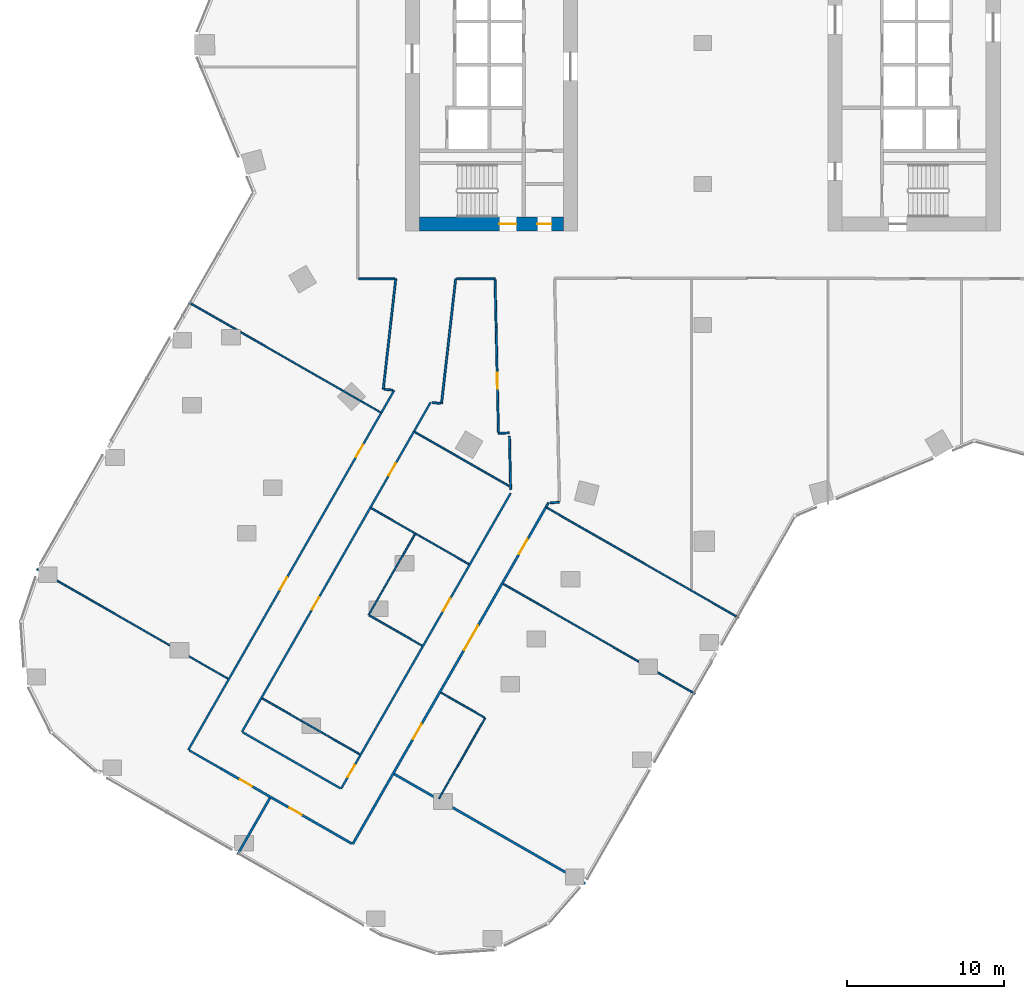
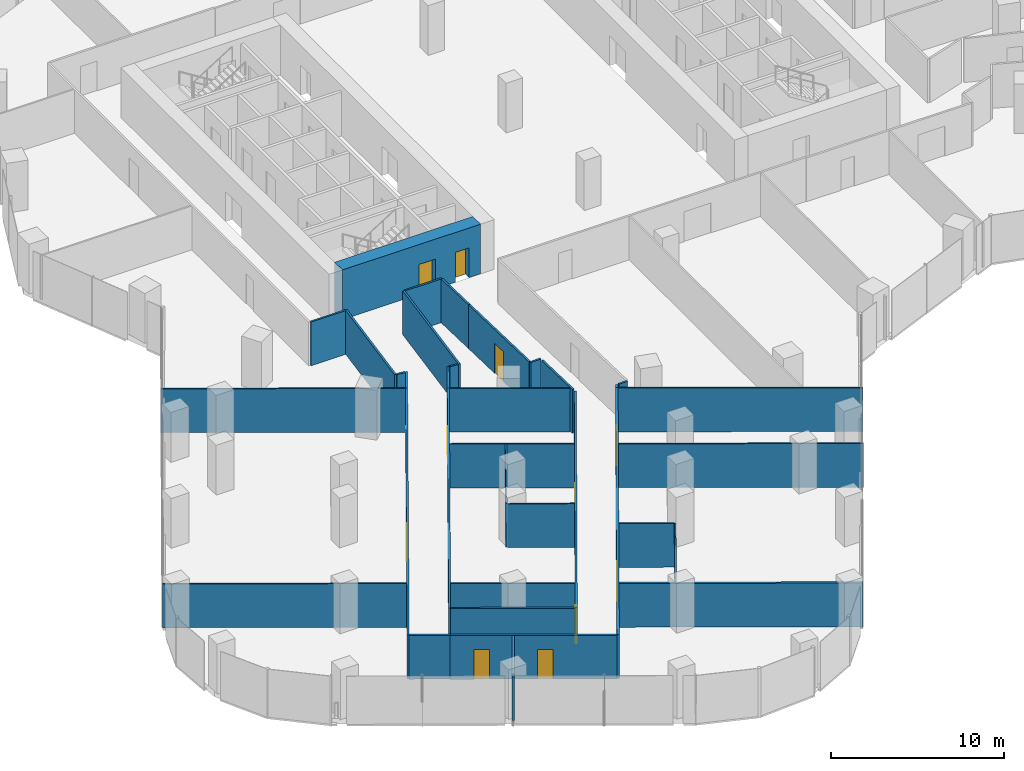
# One storey, part 26 of 34: 35 walls, 14 doors, 14 openings.
"""IFC4 building model written with IfcOpenShell, lengths in metres."""

from ifc_helpers import new_model, si_unit, direction, frame, frame_2d, origin, place, context, subcontext, project, spatial, rectangle, extrude, material, layer, layer_set, type_object, element, fill, save


model = new_model("IFC4")

# Units and contexts
model_context = context("Model", 3, precision=1e-05, world=origin(), true_north=direction((0.0, 1.0)))
body_context = subcontext(model_context, "Body", "Model", "MODEL_VIEW")
ifc_project = project(units=[si_unit("LENGTHUNIT", "METRE"), si_unit("AREAUNIT", "SQUARE_METRE"), si_unit("VOLUMEUNIT", "CUBIC_METRE"), si_unit("PLANEANGLEUNIT", "RADIAN"), si_unit("MASSUNIT", "GRAM", prefix="KILO")], contexts=[model_context])

# Site, building, storey
site_placement = place(None, origin())
site = spatial("IfcSite", under=ifc_project, at=site_placement, CompositionType="ELEMENT")
building_placement = place(site_placement, origin())
building = spatial("IfcBuilding", under=site, at=building_placement, Name="Orlundy Tower", CompositionType="ELEMENT")
storey_placement = place(building_placement, frame((0.0, 0.0, 109.199951171875)))
storey = spatial("IfcBuildingStorey", under=building, at=storey_placement, Name="L27", CompositionType="ELEMENT", Elevation=109.199951171875)

# Wall, openings, doors
ifc_material_1 = material(Name="Concrete C80/95", Category="concrete")
ifc_layer_1 = layer(ifc_material_1, 0.89990234375)
ifc_layer_set_1 = layer_set([ifc_layer_1], Name="CORE WALL 900 C80/95")
wall_type_1 = type_object("IfcWallType", Name="CORE WALL 900 C80/95", PredefinedType="SHEAR", material=ifc_layer_set_1)
wall_1_placement = place(storey_placement, frame((-18.10009765625, -11.550048828125, 0.0), z_axis=(0.0, 0.0, 1.0), x_axis=(1.0, 0.0, 0.0)))
wall_1 = element("IfcWall", 1, at=wall_1_placement, inside=storey, type_object=wall_type_1, Name="Core wall W-S L27", PredefinedType="SHEAR", context=body_context, shape_type="SweptSolid", body=[
    extrude(rectangle(XDim=9.2001953125, YDim=0.89990234375, at=frame_2d((4.60009765625, 0.0))), origin(), (0.0, 0.0, 1.0), 3.5),
])
opening_1_placement = place(wall_1_placement, frame((5.10009765625, 0.0, 0.0)))
opening_1 = element("IfcOpeningElement", 2, at=opening_1_placement, cuts=wall_1, Name="Opening 21013", PredefinedType="OPENING", context=body_context, shape_type="SweptSolid", body=[
    extrude(rectangle(XDim=1.10009765625, YDim=2.10009765625, at=frame_2d((0.550048828125, 1.050048828125))), frame((0.0, 0.4599609375, 0.0), z_axis=(0.0, -1.0, 0.0), x_axis=(1.0, 0.0, 0.0)), (0.0, 0.0, 1.0), 0.919921875),
])
opening_2_placement = place(wall_1_placement, frame((7.530029296875, 0.0, 0.0)))
opening_2 = element("IfcOpeningElement", 3, at=opening_2_placement, cuts=wall_1, Name="Opening 21015", PredefinedType="OPENING", context=body_context, shape_type="SweptSolid", body=[
    extrude(rectangle(XDim=0.89990234375, YDim=2.10009765625, at=frame_2d((0.449951171875, 1.050048828125))), frame((0.0, 0.4599609375, 0.0), z_axis=(0.0, -1.0, 0.0), x_axis=(1.0, 0.0, 0.0)), (0.0, 0.0, 1.0), 0.919921875),
])
ifc_material_2 = material(Name="Timber door set", Category="wood")
door_type_1 = type_object("IfcDoorType", Name="Room Door 900x2100", OperationType="SINGLE_SWING_LEFT", PredefinedType="DOOR", material=ifc_material_2)
door_1_placement = place(opening_2_placement, origin())
door_1 = element("IfcDoor", 4, at=door_1_placement, inside=storey, type_object=door_type_1, Name="Store door 21015", OperationType="SINGLE_SWING_RIGHT", OverallHeight=2.10009765625, OverallWidth=0.89990234375, PredefinedType="DOOR", context=body_context, shape_type="SweptSolid", body=[
    extrude(rectangle(XDim=0.89990234375, YDim=2.10009765625, at=frame_2d((0.449951171875, 1.050048828125))), frame((0.0, 0.02490234375, 0.0), z_axis=(0.0, -1.0, 0.0), x_axis=(1.0, 0.0, 0.0)), (0.0, 0.0, 1.0), 0.050048828125),
])
fill(opening_2, door_1)
ifc_material_3 = material(Name="Steel door set", Category="steel")
door_type_2 = type_object("IfcDoorType", Name="Stair Door 1100x2100", OperationType="SINGLE_SWING_LEFT", PredefinedType="DOOR", material=ifc_material_3)
door_2_placement = place(opening_1_placement, origin())
door_2 = element("IfcDoor", 5, at=door_2_placement, inside=storey, type_object=door_type_2, Name="Stair door 21013", OperationType="SINGLE_SWING_RIGHT", OverallHeight=2.10009765625, OverallWidth=1.10009765625, PredefinedType="DOOR", context=body_context, shape_type="SweptSolid", body=[
    extrude(rectangle(XDim=1.10009765625, YDim=2.10009765625, at=frame_2d((0.550048828125, 1.050048828125))), frame((0.0, 0.02490234375, 0.0), z_axis=(0.0, -1.0, 0.0), x_axis=(1.0, 0.0, 0.0)), (0.0, 0.0, 1.0), 0.050048828125),
])
fill(opening_1, door_2)

# Walls
ifc_material_4 = material(Name="Gypsum board partition")
ifc_layer_2 = layer(ifc_material_4, 0.10009765625)
ifc_layer_set_2 = layer_set([ifc_layer_2], Name="Floor partition 100")
wall_type_2 = type_object("IfcWallType", Name="Floor partition 100", PredefinedType="PARTITIONING", material=ifc_layer_set_2)
wall_2_placement = place(storey_placement, frame((-42.5419921875, -33.5869140625, 0.0), z_axis=(0.0, 0.0, 1.0), x_axis=(0.867466270896, -0.497495998835, 0.0)))
element("IfcWall", 6, at=wall_2_placement, inside=storey, type_object=wall_type_2, Name="wall-int-L27-009", PredefinedType="PARTITIONING", context=body_context, shape_type="SweptSolid", body=[
    extrude(rectangle(XDim=14.078857421875, YDim=0.10009765625, at=frame_2d((7.03955078125, 0.0))), origin(), (0.0, 0.0, 1.0), 3.080078125),
])
wall_3_placement = place(storey_placement, frame((-28.137939453125, -41.847900390625, 0.0), z_axis=(0.0, 0.0, 1.0), x_axis=(0.867478179125, -0.4974752343, 0.0)))
element("IfcWall", 7, at=wall_3_placement, inside=storey, type_object=wall_type_2, Name="wall-int-L27-010", PredefinedType="PARTITIONING", context=body_context, shape_type="SweptSolid", body=[
    extrude(rectangle(XDim=7.17822265625, YDim=0.10009765625, at=frame_2d((3.589111328125, 0.0))), origin(), (0.0, 0.0, 1.0), 3.080078125),
])
wall_4_placement = place(storey_placement, frame((-16.72412109375, -41.47607421875, 0.0), z_axis=(0.0, 0.0, 1.0), x_axis=(0.867553640943, -0.497343623752, 0.0)))
element("IfcWall", 8, at=wall_4_placement, inside=storey, type_object=wall_type_2, Name="wall-int-L27-012", PredefinedType="PARTITIONING", context=body_context, shape_type="SweptSolid", body=[
    extrude(rectangle(XDim=3.20703125, YDim=0.10009765625, at=frame_2d((1.603515625, 0.0))), origin(), (0.0, 0.0, 1.0), 3.080078125),
])
wall_5_placement = place(storey_placement, frame((-21.302001953125, -36.5458984375, 0.0), z_axis=(0.0, 0.0, 1.0), x_axis=(0.867492112241, -0.49745093748, 0.0)))
element("IfcWall", 9, at=wall_5_placement, inside=storey, type_object=wall_type_2, Name="wall-int-L27-013", PredefinedType="PARTITIONING", context=body_context, shape_type="SweptSolid", body=[
    extrude(rectangle(XDim=3.885986328125, YDim=0.10009765625, at=frame_2d((1.94287109375, 0.0))), origin(), (0.0, 0.0, 1.0), 3.080078125),
])
wall_6_placement = place(storey_placement, frame((-21.180908203125, -29.698974609375, 0.0), z_axis=(0.0, 0.0, 1.0), x_axis=(0.867554846835, -0.497341520219, 0.0)))
element("IfcWall", 10, at=wall_6_placement, inside=storey, type_object=wall_type_2, Name="wall-int-L27-014", PredefinedType="PARTITIONING", context=body_context, shape_type="SweptSolid", body=[
    extrude(rectangle(XDim=7.190185546875, YDim=0.10009765625, at=frame_2d((3.59521484375, 0.0))), origin(), (0.0, 0.0, 1.0), 3.080078125),
])
wall_7_placement = place(storey_placement, frame((-12.7451171875, -34.535888671875, 0.0), z_axis=(0.0, 0.0, 1.0), x_axis=(0.867470957273, -0.497487827277, 0.0)))
element("IfcWall", 11, at=wall_7_placement, inside=storey, type_object=wall_type_2, Name="wall-int-L27-015", PredefinedType="PARTITIONING", context=body_context, shape_type="SweptSolid", body=[
    extrude(rectangle(XDim=14.125244140625, YDim=0.10009765625, at=frame_2d((7.0625, 0.0))), origin(), (0.0, 0.0, 1.0), 3.080078125),
])
wall_8_placement = place(storey_placement, frame((-32.8359375, -16.552001953125, 0.0), z_axis=(0.0, 0.0, 1.0), x_axis=(0.867495211783, -0.497445532229, 0.0)))
element("IfcWall", 12, at=wall_8_placement, inside=storey, type_object=wall_type_2, Name="wall-int-L27-016", PredefinedType="PARTITIONING", context=body_context, shape_type="SweptSolid", body=[
    extrude(rectangle(XDim=14.119873046875, YDim=0.10009765625, at=frame_2d((7.06005859375, 0.0))), origin(), (0.0, 0.0, 1.0), 3.080078125),
])
wall_9_placement = place(storey_placement, frame((-18.39501953125, -24.8330078125, 0.0), z_axis=(0.0, 0.0, 1.0), x_axis=(0.86747241126, -0.497485291946, 0.0)))
element("IfcWall", 13, at=wall_9_placement, inside=storey, type_object=wall_type_2, Name="wall-int-L27-017", PredefinedType="PARTITIONING", context=body_context, shape_type="SweptSolid", body=[
    extrude(rectangle(XDim=6.948974609375, YDim=0.10009765625, at=frame_2d((3.474609375, 0.0))), origin(), (0.0, 0.0, 1.0), 3.080078125),
])
wall_10_placement = place(storey_placement, frame((-9.9560546875, -29.672119140625, 0.0), z_axis=(0.0, 0.0, 1.0), x_axis=(0.867495524847, -0.497444986276, 0.0)))
element("IfcWall", 14, at=wall_10_placement, inside=storey, type_object=wall_type_2, Name="wall-int-L27-018", PredefinedType="PARTITIONING", context=body_context, shape_type="SweptSolid", body=[
    extrude(rectangle(XDim=14.1259765625, YDim=0.10009765625, at=frame_2d((7.06298828125, 0.0))), origin(), (0.0, 0.0, 1.0), 3.080078125),
])
wall_11_placement = place(storey_placement, frame((-16.846923828125, -48.236083984375, 0.0), z_axis=(0.0, 0.0, 1.0), x_axis=(0.497509382409, 0.867458595217, 0.0)))
element("IfcWall", 15, at=wall_11_placement, inside=storey, type_object=wall_type_2, Name="wall-int-L27-048", PredefinedType="PARTITIONING", context=body_context, shape_type="SweptSolid", body=[
    extrude(rectangle(XDim=5.925537109375, YDim=0.10009765625, at=frame_2d((2.962890625, 0.0))), origin(), (0.0, 0.0, 1.0), 3.080078125),
])
wall_12_placement = place(storey_placement, frame((-21.344970703125, -36.52099609375, 0.0), z_axis=(0.0, 0.0, 1.0), x_axis=(0.497305055322, 0.867575749978, 0.0)))
element("IfcWall", 16, at=wall_12_placement, inside=storey, type_object=wall_type_2, Name="wall-int-L27-052", PredefinedType="PARTITIONING", context=body_context, shape_type="SweptSolid", body=[
    extrude(rectangle(XDim=5.949951171875, YDim=0.10009765625, at=frame_2d((2.97509765625, 0.0))), origin(), (0.0, 0.0, 1.0), 3.080078125),
])
ifc_material_5 = material(Name="Gypsum board partition, double layer")
ifc_layer_3 = layer(ifc_material_5, 0.125)
ifc_layer_set_3 = layer_set([ifc_layer_3], Name="Floor partition 125")
wall_type_3 = type_object("IfcWallType", Name="Floor partition 125", PredefinedType="PARTITIONING", material=ifc_layer_set_3)
wall_13_placement = place(storey_placement, frame((-13.26806640625, -15.113037109375, 0.0), z_axis=(0.0, 0.0, 1.0), x_axis=(0.02185314429, -0.999761191528, 0.0)))
element("IfcWall", 17, at=wall_13_placement, inside=storey, type_object=wall_type_3, Name="wall-int-L27-001", PredefinedType="PARTITIONING", context=body_context, shape_type="SweptSolid", body=[
    extrude(rectangle(XDim=3.027587890625, YDim=0.125, at=frame_2d((1.513671875, 0.0))), origin(), (0.0, 0.0, 1.0), 3.080078125),
])

# Wall, opening, door
wall_14_placement = place(storey_placement, frame((-13.053955078125, -24.846923828125, 0.0), z_axis=(0.0, 0.0, 1.0), x_axis=(-0.022053458667, 0.999756792906, 0.0)))
wall_14 = element("IfcWall", 18, at=wall_14_placement, inside=storey, type_object=wall_type_3, Name="wall-int-L27-002", PredefinedType="PARTITIONING", context=body_context, shape_type="SweptSolid", body=[
    extrude(rectangle(XDim=6.708740234375, YDim=0.125, at=frame_2d((3.3544921875, 0.0))), origin(), (0.0, 0.0, 1.0), 3.080078125),
])
opening_3_placement = place(wall_14_placement, frame((2.78759765625, 0.0, 0.0)))
opening_3 = element("IfcOpeningElement", 19, at=opening_3_placement, cuts=wall_14, Name="Opening 21120", PredefinedType="OPENING", context=body_context, shape_type="SweptSolid", body=[
    extrude(rectangle(XDim=1.0, YDim=2.10009765625, at=frame_2d((0.5, 1.050048828125))), frame((0.0, 0.072509765625, 0.0), z_axis=(0.0, -1.0, 0.0), x_axis=(1.0, 0.0, 0.0)), (0.0, 0.0, 1.0), 0.14501953125),
])
ifc_material_6 = material(Name="Timber door leaf", Category="wood")
door_type_3 = type_object("IfcDoorType", Name="Floor door wide 1000 FD30S", OperationType="NOTDEFINED", PredefinedType="DOOR", material=ifc_material_6)
door_3_placement = place(opening_3_placement, origin())
door_3 = element("IfcDoor", 20, at=door_3_placement, inside=storey, type_object=door_type_3, Name="Door 21120", OperationType="SINGLE_SWING_LEFT", OverallHeight=2.10009765625, OverallWidth=1.0, PredefinedType="DOOR", context=body_context, shape_type="SweptSolid", body=[
    extrude(rectangle(XDim=1.0, YDim=2.10009765625, at=frame_2d((0.5, 1.050048828125))), frame((0.0, 0.02490234375, 0.0), z_axis=(0.0, -1.0, 0.0), x_axis=(1.0, 0.0, 0.0)), (0.0, 0.0, 1.0), 0.050048828125),
])
fill(opening_3, door_3)

# Walls
wall_15_placement = place(storey_placement, frame((-12.27392578125, -28.507080078125, 0.0), z_axis=(0.0, 0.0, 1.0), x_axis=(-0.022051353947, 0.999756839331, 0.0)))
element("IfcWall", 21, at=wall_15_placement, inside=storey, type_object=wall_type_3, Name="wall-int-L27-003", PredefinedType="PARTITIONING", context=body_context, shape_type="SweptSolid", body=[
    extrude(rectangle(XDim=3.409912109375, YDim=0.125, at=frame_2d((1.705078125, 0.0))), origin(), (0.0, 0.0, 1.0), 3.080078125),
])
wall_16_placement = place(storey_placement, frame((-32.804931640625, -45.1669921875, 0.0), z_axis=(0.0, 0.0, 1.0), x_axis=(0.867850650995, -0.496825168009, 0.0)))
element("IfcWall", 22, at=wall_16_placement, inside=storey, type_object=wall_type_3, Name="wall-int-L27-006", PredefinedType="PARTITIONING", context=body_context, shape_type="SweptSolid", body=[
    extrude(rectangle(XDim=2.336669921875, YDim=0.125, at=frame_2d((1.16845703125, 0.0))), origin(), (0.0, 0.0, 1.0), 3.080078125),
])
wall_17_placement = place(storey_placement, frame((-29.3798828125, -44.01708984375, 0.0), z_axis=(0.0, 0.0, 1.0), x_axis=(0.867475811481, -0.497479362885, 0.0)))
element("IfcWall", 23, at=wall_17_placement, inside=storey, type_object=wall_type_3, Name="wall-int-L27-008", PredefinedType="PARTITIONING", context=body_context, shape_type="SweptSolid", body=[
    extrude(rectangle(XDim=7.17578125, YDim=0.125, at=frame_2d((3.587890625, 0.0))), origin(), (0.0, 0.0, 1.0), 3.080078125),
])
for number, where, z_axis, x_axis, name in (
    (24, (-17.287109375, -22.948974609375, 0.0), (0.0, 0.0, 1.0), (0.993828621155, -0.110926425047, 0.0), "wall-int-L27-026"),
    (25, (-20.344970703125, -22.10400390625, 0.0), (0.0, 0.0, 1.0), (0.993828621155, -0.110926425047, 0.0), "wall-int-L27-027"),
):
    element("IfcWall", number, at=place(storey_placement, frame(where, z_axis=z_axis, x_axis=x_axis)), inside=storey, type_object=wall_type_3, Name=name, PredefinedType="PARTITIONING", context=body_context, shape_type="SweptSolid", body=[
        extrude(rectangle(XDim=0.54150390625, YDim=0.125, at=frame_2d((0.270751953125, 0.0))), origin(), (0.0, 0.0, 1.0), 3.080078125),
    ])
wall_18_placement = place(storey_placement, frame((-21.988037109375, -15.051025390625, 0.0), z_axis=(0.0, 0.0, 1.0), x_axis=(1.0, 0.0, 0.0)))
element("IfcWall", 26, at=wall_18_placement, inside=storey, type_object=wall_type_3, Name="wall-int-L27-031", PredefinedType="PARTITIONING", context=body_context, shape_type="SweptSolid", body=[
    extrude(rectangle(XDim=2.31591796875, YDim=0.125, at=frame_2d((1.157958984375, 0.0))), origin(), (0.0, 0.0, 1.0), 3.080078125),
])
wall_19_placement = place(storey_placement, frame((-15.722900390625, -15.051025390625, 0.0), z_axis=(0.0, 0.0, 1.0), x_axis=(1.0, 0.0, 0.0)))
element("IfcWall", 27, at=wall_19_placement, inside=storey, type_object=wall_type_3, Name="wall-int-L27-032", PredefinedType="PARTITIONING", context=body_context, shape_type="SweptSolid", body=[
    extrude(rectangle(XDim=2.453857421875, YDim=0.125, at=frame_2d((1.22705078125, 0.0))), origin(), (0.0, 0.0, 1.0), 3.080078125),
])
wall_20_placement = place(storey_placement, frame((-9.743896484375, -29.343994140625, 0.0), z_axis=(0.0, 0.0, 1.0), x_axis=(0.999758670784, 0.021968163164, 0.0)))
element("IfcWall", 28, at=wall_20_placement, inside=storey, type_object=wall_type_3, Name="wall-int-L27-041", PredefinedType="PARTITIONING", context=body_context, shape_type="SweptSolid", body=[
    extrude(rectangle(XDim=0.589111328125, YDim=0.125, at=frame_2d((0.29443359375, 0.0))), origin(), (0.0, 0.0, 1.0), 3.080078125),
])
wall_21_placement = place(storey_placement, frame((-13.052978515625, -24.909912109375, 0.0), z_axis=(0.0, 0.0, 1.0), x_axis=(0.999743094177, 0.022665957838, 0.0)))
element("IfcWall", 29, at=wall_21_placement, inside=storey, type_object=wall_type_3, Name="wall-int-L27-042", PredefinedType="PARTITIONING", context=body_context, shape_type="SweptSolid", body=[
    extrude(rectangle(XDim=0.7001953125, YDim=0.125, at=frame_2d((0.35009765625, 0.0))), origin(), (0.0, 0.0, 1.0), 3.080078125),
])
wall_22_placement = place(storey_placement, frame((-19.7119140625, -22.175048828125, 0.0), z_axis=(0.0, 0.0, 1.0), x_axis=(-0.497428639805, -0.867504898143, 0.0)))
element("IfcWall", 30, at=wall_22_placement, inside=storey, type_object=wall_type_3, Name="wall-int-L27-045", PredefinedType="PARTITIONING", context=body_context, shape_type="SweptSolid", body=[
    extrude(rectangle(XDim=1.650634765625, YDim=0.125, at=frame_2d((0.8251953125, 0.0))), origin(), (0.0, 0.0, 1.0), 3.080078125),
])
wall_23_placement = place(storey_placement, frame((-10.02099609375, -29.635009765625, 0.0), z_axis=(0.0, 0.0, 1.0), x_axis=(0.498030726652, 0.867159382876, 0.0)))
element("IfcWall", 31, at=wall_23_placement, inside=storey, type_object=wall_type_3, Name="wall-int-L27-047", PredefinedType="PARTITIONING", context=body_context, shape_type="SweptSolid", body=[
    extrude(rectangle(XDim=0.333251953125, YDim=0.125, at=frame_2d((0.16650390625, 0.0))), origin(), (0.0, 0.0, 1.0), 3.080078125),
])

# Wall, openings, doors
wall_24_placement = place(storey_placement, frame((-23.10107421875, -47.617919921875, 0.0), z_axis=(0.0, 0.0, 1.0), x_axis=(0.497706797126, 0.867345343041, 0.0)))
wall_24 = element("IfcWall", 32, at=wall_24_placement, inside=storey, type_object=wall_type_3, Name="wall-int-L27-050", PredefinedType="PARTITIONING", context=body_context, shape_type="SweptSolid", body=[
    extrude(rectangle(XDim=21.772216796875, YDim=0.125, at=frame_2d((10.88623046875, 0.0))), origin(), (0.0, 0.0, 1.0), 3.080078125),
])
opening_4_placement = place(wall_24_placement, frame((0.85009765625, 0.0, 0.0)))
opening_4 = element("IfcOpeningElement", 33, at=opening_4_placement, cuts=wall_24, Name="Opening 21114", PredefinedType="OPENING", context=body_context, shape_type="SweptSolid", body=[
    extrude(rectangle(XDim=0.89990234375, YDim=2.10009765625, at=frame_2d((0.449951171875, 1.050048828125))), frame((0.0, 0.072509765625, 0.0), z_axis=(0.0, -1.0, 0.0), x_axis=(1.0, 0.0, 0.0)), (0.0, 0.0, 1.0), 0.14501953125),
])
opening_5_placement = place(wall_24_placement, frame((13.10009765625, 0.0, 0.0)))
opening_5 = element("IfcOpeningElement", 34, at=opening_5_placement, cuts=wall_24, Name="Opening 21134", PredefinedType="OPENING", context=body_context, shape_type="SweptSolid", body=[
    extrude(rectangle(XDim=0.89990234375, YDim=2.10009765625, at=frame_2d((0.449951171875, 1.050048828125))), frame((0.0, 0.072509765625, 0.0), z_axis=(0.0, -1.0, 0.0), x_axis=(1.0, 0.0, 0.0)), (0.0, 0.0, 1.0), 0.14501953125),
])
ifc_material_7 = material(Name="Timber door leaf", Category="wood")
door_type_4 = type_object("IfcDoorType", Name="Floor door single 900 FD30S", OperationType="NOTDEFINED", PredefinedType="DOOR", material=ifc_material_7)
door_4_placement = place(opening_4_placement, origin())
door_4 = element("IfcDoor", 35, at=door_4_placement, inside=storey, type_object=door_type_4, Name="Door 21114", OperationType="SINGLE_SWING_LEFT", OverallHeight=2.10009765625, OverallWidth=0.89990234375, PredefinedType="DOOR", context=body_context, shape_type="SweptSolid", body=[
    extrude(rectangle(XDim=0.89990234375, YDim=2.10009765625, at=frame_2d((0.449951171875, 1.050048828125))), frame((0.0, 0.02490234375, 0.0), z_axis=(0.0, -1.0, 0.0), x_axis=(1.0, 0.0, 0.0)), (0.0, 0.0, 1.0), 0.050048828125),
])
fill(opening_4, door_4)
door_5_placement = place(opening_5_placement, origin())
door_5 = element("IfcDoor", 36, at=door_5_placement, inside=storey, type_object=door_type_4, Name="Door 21134", OperationType="SINGLE_SWING_RIGHT", OverallHeight=2.10009765625, OverallWidth=0.89990234375, PredefinedType="DOOR", context=body_context, shape_type="SweptSolid", body=[
    extrude(rectangle(XDim=0.89990234375, YDim=2.10009765625, at=frame_2d((0.449951171875, 1.050048828125))), frame((0.0, 0.02490234375, 0.0), z_axis=(0.0, -1.0, 0.0), x_axis=(1.0, 0.0, 0.0)), (0.0, 0.0, 1.0), 0.050048828125),
])
fill(opening_5, door_5)

wall_25_placement = place(storey_placement, frame((-18.448974609375, -24.802001953125, 0.0), z_axis=(0.0, 0.0, 1.0), x_axis=(-0.496915373234, -0.867799004288, 0.0)))
wall_25 = element("IfcWall", 37, at=wall_25_placement, inside=storey, type_object=wall_type_3, Name="wall-int-L27-053", PredefinedType="PARTITIONING", context=body_context, shape_type="SweptSolid", body=[
    extrude(rectangle(XDim=22.106689453125, YDim=0.125, at=frame_2d((11.05322265625, 0.0))), origin(), (0.0, 0.0, 1.0), 3.080078125),
])
opening_6_placement = place(wall_25_placement, frame((2.35009765625, 0.0, 0.0)))
opening_6 = element("IfcOpeningElement", 38, at=opening_6_placement, cuts=wall_25, Name="Opening 21112", PredefinedType="OPENING", context=body_context, shape_type="SweptSolid", body=[
    extrude(rectangle(XDim=0.89990234375, YDim=2.10009765625, at=frame_2d((0.449951171875, 1.050048828125))), frame((0.0, 0.072509765625, 0.0), z_axis=(0.0, -1.0, 0.0), x_axis=(1.0, 0.0, 0.0)), (0.0, 0.0, 1.0), 0.14501953125),
])
opening_7_placement = place(wall_25_placement, frame((12.207275390625, 0.0, 0.0)))
opening_7 = element("IfcOpeningElement", 39, at=opening_7_placement, cuts=wall_25, Name="Opening 21113", PredefinedType="OPENING", context=body_context, shape_type="SweptSolid", body=[
    extrude(rectangle(XDim=0.89990234375, YDim=2.10009765625, at=frame_2d((0.449951171875, 1.050048828125))), frame((0.0, 0.072509765625, 0.0), z_axis=(0.0, -1.0, 0.0), x_axis=(1.0, 0.0, 0.0)), (0.0, 0.0, 1.0), 0.14501953125),
])
door_6_placement = place(opening_6_placement, origin())
door_6 = element("IfcDoor", 40, at=door_6_placement, inside=storey, type_object=door_type_4, Name="Door 21112", OperationType="SINGLE_SWING_LEFT", OverallHeight=2.10009765625, OverallWidth=0.89990234375, PredefinedType="DOOR", context=body_context, shape_type="SweptSolid", body=[
    extrude(rectangle(XDim=0.89990234375, YDim=2.10009765625, at=frame_2d((0.449951171875, 1.050048828125))), frame((0.0, 0.02490234375, 0.0), z_axis=(0.0, -1.0, 0.0), x_axis=(1.0, 0.0, 0.0)), (0.0, 0.0, 1.0), 0.050048828125),
])
fill(opening_6, door_6)
door_7_placement = place(opening_7_placement, origin())
door_7 = element("IfcDoor", 41, at=door_7_placement, inside=storey, type_object=door_type_4, Name="Door 21113", OperationType="SINGLE_SWING_RIGHT", OverallHeight=2.10009765625, OverallWidth=0.89990234375, PredefinedType="DOOR", context=body_context, shape_type="SweptSolid", body=[
    extrude(rectangle(XDim=0.89990234375, YDim=2.10009765625, at=frame_2d((0.449951171875, 1.050048828125))), frame((0.0, 0.02490234375, 0.0), z_axis=(0.0, -1.0, 0.0), x_axis=(1.0, 0.0, 0.0)), (0.0, 0.0, 1.0), 0.050048828125),
])
fill(opening_7, door_7)

# Wall
wall_26_placement = place(storey_placement, frame((-18.448974609375, -24.802001953125, 0.0), z_axis=(0.0, 0.0, 1.0), x_axis=(0.49675090032, 0.867893163374, 0.0)))
element("IfcWall", 42, at=wall_26_placement, inside=storey, type_object=wall_type_3, Name="wall-int-L27-054", PredefinedType="PARTITIONING", context=body_context, shape_type="SweptSolid", body=[
    extrude(rectangle(XDim=2.147705078125, YDim=0.125, at=frame_2d((1.07373046875, 0.0))), origin(), (0.0, 0.0, 1.0), 3.080078125),
])

# Wall, openings, doors
wall_27_placement = place(storey_placement, frame((-32.85888671875, -45.135986328125, 0.0), z_axis=(0.0, 0.0, 1.0), x_axis=(0.496796975504, 0.867866789969, 0.0)))
wall_27 = element("IfcWall", 43, at=wall_27_placement, inside=storey, type_object=wall_type_3, Name="wall-int-L27-055", PredefinedType="PARTITIONING", context=body_context, shape_type="SweptSolid", body=[
    extrude(rectangle(XDim=24.806884765625, YDim=0.125, at=frame_2d((12.4033203125, 0.0))), origin(), (0.0, 0.0, 1.0), 3.080078125),
])
opening_8_placement = place(wall_27_placement, frame((11.80126953125, 0.0, 0.0)))
opening_8 = element("IfcOpeningElement", 44, at=opening_8_placement, cuts=wall_27, Name="Opening 21117", PredefinedType="OPENING", context=body_context, shape_type="SweptSolid", body=[
    extrude(rectangle(XDim=0.89990234375, YDim=2.10009765625, at=frame_2d((0.449951171875, 1.050048828125))), frame((0.0, 0.072509765625, 0.0), z_axis=(0.0, -1.0, 0.0), x_axis=(1.0, 0.0, 0.0)), (0.0, 0.0, 1.0), 0.14501953125),
])
opening_9_placement = place(wall_27_placement, frame((21.55078125, 0.0, 0.0)))
opening_9 = element("IfcOpeningElement", 45, at=opening_9_placement, cuts=wall_27, Name="Opening 21118", PredefinedType="OPENING", context=body_context, shape_type="SweptSolid", body=[
    extrude(rectangle(XDim=0.89990234375, YDim=2.10009765625, at=frame_2d((0.449951171875, 1.050048828125))), frame((0.0, 0.072509765625, 0.0), z_axis=(0.0, -1.0, 0.0), x_axis=(1.0, 0.0, 0.0)), (0.0, 0.0, 1.0), 0.14501953125),
])
door_8_placement = place(opening_8_placement, origin())
door_8 = element("IfcDoor", 46, at=door_8_placement, inside=storey, type_object=door_type_4, Name="Door 21117", OperationType="SINGLE_SWING_LEFT", OverallHeight=2.10009765625, OverallWidth=0.89990234375, PredefinedType="DOOR", context=body_context, shape_type="SweptSolid", body=[
    extrude(rectangle(XDim=0.89990234375, YDim=2.10009765625, at=frame_2d((0.449951171875, 1.050048828125))), frame((0.0, 0.02490234375, 0.0), z_axis=(0.0, -1.0, 0.0), x_axis=(1.0, 0.0, 0.0)), (0.0, 0.0, 1.0), 0.050048828125),
])
fill(opening_8, door_8)
door_9_placement = place(opening_9_placement, origin())
door_9 = element("IfcDoor", 47, at=door_9_placement, inside=storey, type_object=door_type_4, Name="Door 21118", OperationType="SINGLE_SWING_RIGHT", OverallHeight=2.10009765625, OverallWidth=0.89990234375, PredefinedType="DOOR", context=body_context, shape_type="SweptSolid", body=[
    extrude(rectangle(XDim=0.89990234375, YDim=2.10009765625, at=frame_2d((0.449951171875, 1.050048828125))), frame((0.0, 0.02490234375, 0.0), z_axis=(0.0, -1.0, 0.0), x_axis=(1.0, 0.0, 0.0)), (0.0, 0.0, 1.0), 0.050048828125),
])
fill(opening_9, door_9)

# Walls
wall_28_placement = place(storey_placement, frame((-16.68603515625, -23.01611328125, 0.0), z_axis=(0.0, 0.0, 1.0), x_axis=(0.112430566881, 0.993659583374, 0.0)))
element("IfcWall", 48, at=wall_28_placement, inside=storey, type_object=wall_type_3, Name="wall-int-L27-069", PredefinedType="PARTITIONING", context=body_context, shape_type="SweptSolid", body=[
    extrude(rectangle(XDim=8.014892578125, YDim=0.125, at=frame_2d((4.00732421875, 0.0))), origin(), (0.0, 0.0, 1.0), 3.080078125),
])
wall_29_placement = place(storey_placement, frame((-20.407958984375, -22.095947265625, 0.0), z_axis=(0.0, 0.0, 1.0), x_axis=(0.112548040262, 0.993646284466, 0.0)))
element("IfcWall", 49, at=wall_29_placement, inside=storey, type_object=wall_type_3, Name="wall-int-L27-070", PredefinedType="PARTITIONING", context=body_context, shape_type="SweptSolid", body=[
    extrude(rectangle(XDim=7.0888671875, YDim=0.125, at=frame_2d((3.54443359375, 0.0))), origin(), (0.0, 0.0, 1.0), 3.080078125),
])

# Wall, openings, doors
ifc_material_8 = material(Name="Blockwork shaft wall", Category="masonry")
ifc_layer_4 = layer(ifc_material_8, 0.14990234375)
ifc_layer_set_4 = layer_set([ifc_layer_4], Name="Floor shaft wall 150")
wall_type_4 = type_object("IfcWallType", Name="Floor shaft wall 150", PredefinedType="PARTITIONING", material=ifc_layer_set_4)
wall_30_placement = place(storey_placement, frame((-22.424072265625, -51.118896484375, 0.0), z_axis=(0.0, 0.0, 1.0), x_axis=(-0.867497896771, 0.497440849849, 0.0)))
wall_30 = element("IfcWall", 50, at=wall_30_placement, inside=storey, type_object=wall_type_4, Name="wall-int-L27-007", PredefinedType="PARTITIONING", context=body_context, shape_type="SweptSolid", body=[
    extrude(rectangle(XDim=9.62890625, YDim=0.14990234375, at=frame_2d((4.814453125, 0.0))), origin(), (0.0, 0.0, 1.0), 3.080078125),
])
opening_10_placement = place(wall_30_placement, frame((3.67822265625, 0.0, 0.0)))
opening_10 = element("IfcOpeningElement", 51, at=opening_10_placement, cuts=wall_30, Name="Opening 21115", PredefinedType="OPENING", context=body_context, shape_type="SweptSolid", body=[
    extrude(rectangle(XDim=0.89990234375, YDim=2.10009765625, at=frame_2d((0.449951171875, 1.050048828125))), frame((0.0, 0.0849609375, 0.0), z_axis=(0.0, -1.0, 0.0), x_axis=(1.0, 0.0, 0.0)), (0.0, 0.0, 1.0), 0.169921875),
])
opening_11_placement = place(wall_30_placement, frame((7.327880859375, 0.0, 0.0)))
opening_11 = element("IfcOpeningElement", 52, at=opening_11_placement, cuts=wall_30, Name="Opening 21116", PredefinedType="OPENING", context=body_context, shape_type="SweptSolid", body=[
    extrude(rectangle(XDim=0.89990234375, YDim=2.10009765625, at=frame_2d((0.449951171875, 1.050048828125))), frame((0.0, 0.0849609375, 0.0), z_axis=(0.0, -1.0, 0.0), x_axis=(1.0, 0.0, 0.0)), (0.0, 0.0, 1.0), 0.169921875),
])
ifc_material_9 = material(Name="Timber door leaf", Category="wood")
door_type_5 = type_object("IfcDoorType", Name="Floor door single 900 FD60", OperationType="NOTDEFINED", PredefinedType="DOOR", material=ifc_material_9)
door_10_placement = place(opening_10_placement, origin())
door_10 = element("IfcDoor", 53, at=door_10_placement, inside=storey, type_object=door_type_5, Name="Door 21115", OperationType="SINGLE_SWING_LEFT", OverallHeight=2.10009765625, OverallWidth=0.89990234375, PredefinedType="DOOR", context=body_context, shape_type="SweptSolid", body=[
    extrude(rectangle(XDim=0.89990234375, YDim=2.10009765625, at=frame_2d((0.449951171875, 1.050048828125))), frame((0.0, 0.02490234375, 0.0), z_axis=(0.0, -1.0, 0.0), x_axis=(1.0, 0.0, 0.0)), (0.0, 0.0, 1.0), 0.050048828125),
])
fill(opening_10, door_10)
door_11_placement = place(opening_11_placement, origin())
door_11 = element("IfcDoor", 54, at=door_11_placement, inside=storey, type_object=door_type_5, Name="Door 21116", OperationType="SINGLE_SWING_RIGHT", OverallHeight=2.10009765625, OverallWidth=0.89990234375, PredefinedType="DOOR", context=body_context, shape_type="SweptSolid", body=[
    extrude(rectangle(XDim=0.89990234375, YDim=2.10009765625, at=frame_2d((0.449951171875, 1.050048828125))), frame((0.0, 0.02490234375, 0.0), z_axis=(0.0, -1.0, 0.0), x_axis=(1.0, 0.0, 0.0)), (0.0, 0.0, 1.0), 0.050048828125),
])
fill(opening_11, door_11)

# Wall
wall_31_placement = place(storey_placement, frame((-19.708984375, -46.680908203125, 0.0), z_axis=(0.0, 0.0, 1.0), x_axis=(0.867456145265, -0.497513654126, 0.0)))
element("IfcWall", 55, at=wall_31_placement, inside=storey, type_object=wall_type_4, Name="wall-int-L27-011", PredefinedType="PARTITIONING", context=body_context, shape_type="SweptSolid", body=[
    extrude(rectangle(XDim=14.070068359375, YDim=0.14990234375, at=frame_2d((7.03515625, 0.0))), origin(), (0.0, 0.0, 1.0), 3.080078125),
])

# Wall, openings, doors
wall_32_placement = place(storey_placement, frame((-10.02001953125, -29.635986328125, 0.0), z_axis=(0.0, 0.0, 1.0), x_axis=(-0.49748968286, -0.867469893107, 0.0)))
wall_32 = element("IfcWall", 56, at=wall_32_placement, inside=storey, type_object=wall_type_4, Name="wall-int-L27-049", PredefinedType="PARTITIONING", context=body_context, shape_type="SweptSolid", body=[
    extrude(rectangle(XDim=24.806640625, YDim=0.14990234375, at=frame_2d((12.4033203125, 0.0))), origin(), (0.0, 0.0, 1.0), 3.080078125),
])
opening_12_placement = place(wall_32_placement, frame((2.349609375, 0.0, 0.0)))
opening_12 = element("IfcOpeningElement", 57, at=opening_12_placement, cuts=wall_32, Name="Opening 21110", PredefinedType="OPENING", context=body_context, shape_type="SweptSolid", body=[
    extrude(rectangle(XDim=1.10009765625, YDim=2.10009765625, at=frame_2d((0.550048828125, 1.050048828125))), frame((0.0, 0.0849609375, 0.0), z_axis=(0.0, -1.0, 0.0), x_axis=(1.0, 0.0, 0.0)), (0.0, 0.0, 1.0), 0.169921875),
])
opening_13_placement = place(wall_32_placement, frame((8.70654296875, 0.0, 0.0)))
opening_13 = element("IfcOpeningElement", 58, at=opening_13_placement, cuts=wall_32, Name="Opening 21111", PredefinedType="OPENING", context=body_context, shape_type="SweptSolid", body=[
    extrude(rectangle(XDim=1.800048828125, YDim=2.10009765625, at=frame_2d((0.89990234375, 1.050048828125))), frame((0.0, 0.0849609375, 0.0), z_axis=(0.0, -1.0, 0.0), x_axis=(1.0, 0.0, 0.0)), (0.0, 0.0, 1.0), 0.169921875),
])
opening_14_placement = place(wall_32_placement, frame((15.95654296875, 0.0, 0.0)))
opening_14 = element("IfcOpeningElement", 59, at=opening_14_placement, cuts=wall_32, Name="Opening 21135", PredefinedType="OPENING", context=body_context, shape_type="SweptSolid", body=[
    extrude(rectangle(XDim=1.10009765625, YDim=2.10009765625, at=frame_2d((0.550048828125, 1.050048828125))), frame((0.0, 0.0849609375, 0.0), z_axis=(0.0, -1.0, 0.0), x_axis=(1.0, 0.0, 0.0)), (0.0, 0.0, 1.0), 0.169921875),
])
ifc_material_10 = material(Name="Timber door leaf", Category="wood")
door_type_6 = type_object("IfcDoorType", Name="Floor door double 1800 FD60", OperationType="NOTDEFINED", PredefinedType="DOOR", material=ifc_material_10)
door_12_placement = place(opening_13_placement, origin())
door_12 = element("IfcDoor", 60, at=door_12_placement, inside=storey, type_object=door_type_6, Name="Door 21111", OperationType="DOUBLE_DOOR_SINGLE_SWING", OverallHeight=2.10009765625, OverallWidth=1.800048828125, PredefinedType="DOOR", context=body_context, shape_type="SweptSolid", body=[
    extrude(rectangle(XDim=1.800048828125, YDim=2.10009765625, at=frame_2d((0.89990234375, 1.050048828125))), frame((0.0, 0.02490234375, 0.0), z_axis=(0.0, -1.0, 0.0), x_axis=(1.0, 0.0, 0.0)), (0.0, 0.0, 1.0), 0.050048828125),
])
fill(opening_13, door_12)
ifc_material_11 = material(Name="Timber door leaf", Category="wood")
door_type_7 = type_object("IfcDoorType", Name="Floor door xwide 1100 FD60", OperationType="NOTDEFINED", PredefinedType="DOOR", material=ifc_material_11)
door_13_placement = place(opening_12_placement, origin())
door_13 = element("IfcDoor", 61, at=door_13_placement, inside=storey, type_object=door_type_7, Name="Door 21110", OperationType="SINGLE_SWING_LEFT", OverallHeight=2.10009765625, OverallWidth=1.10009765625, PredefinedType="DOOR", context=body_context, shape_type="SweptSolid", body=[
    extrude(rectangle(XDim=1.10009765625, YDim=2.10009765625, at=frame_2d((0.550048828125, 1.050048828125))), frame((0.0, 0.02490234375, 0.0), z_axis=(0.0, -1.0, 0.0), x_axis=(1.0, 0.0, 0.0)), (0.0, 0.0, 1.0), 0.050048828125),
])
fill(opening_12, door_13)
door_14_placement = place(opening_14_placement, origin())
door_14 = element("IfcDoor", 62, at=door_14_placement, inside=storey, type_object=door_type_7, Name="Door 21135", OperationType="SINGLE_SWING_RIGHT", OverallHeight=2.10009765625, OverallWidth=1.10009765625, PredefinedType="DOOR", context=body_context, shape_type="SweptSolid", body=[
    extrude(rectangle(XDim=1.10009765625, YDim=2.10009765625, at=frame_2d((0.550048828125, 1.050048828125))), frame((0.0, 0.02490234375, 0.0), z_axis=(0.0, -1.0, 0.0), x_axis=(1.0, 0.0, 0.0)), (0.0, 0.0, 1.0), 0.050048828125),
])
fill(opening_14, door_14)

# Wall
wall_33_placement = place(storey_placement, frame((-29.72412109375, -51.8310546875, 0.0), z_axis=(0.0, 0.0, 1.0), x_axis=(0.49757424492, 0.867421391708, 0.0)))
element("IfcWall", 63, at=wall_33_placement, inside=storey, type_object=wall_type_4, Name="wall-int-L27-051", PredefinedType="PARTITIONING", context=body_context, shape_type="SweptSolid", body=[
    extrude(rectangle(XDim=4.174560546875, YDim=0.14990234375, at=frame_2d((2.08740234375, 0.0))), origin(), (0.0, 0.0, 1.0), 3.080078125),
])

save(model, "model.ifc")
